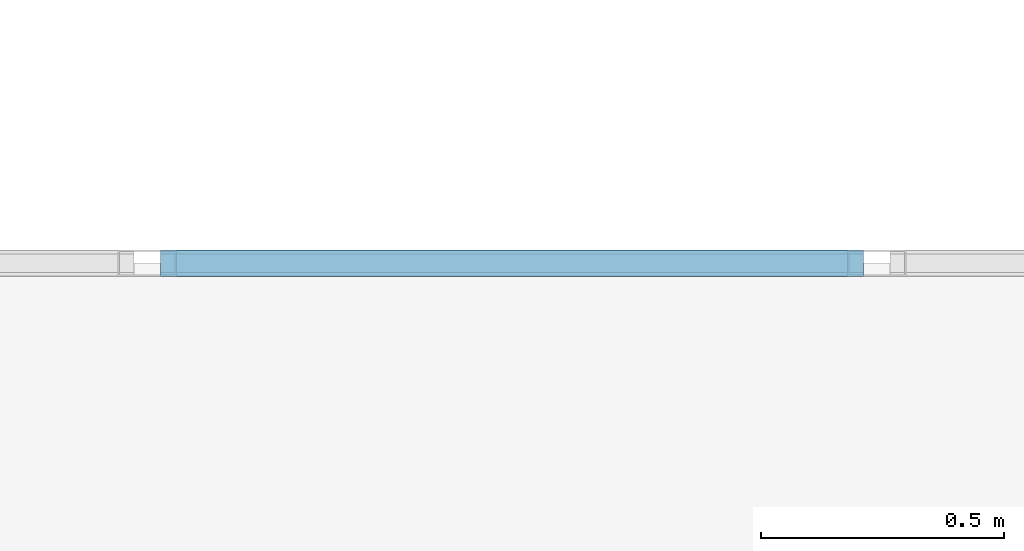
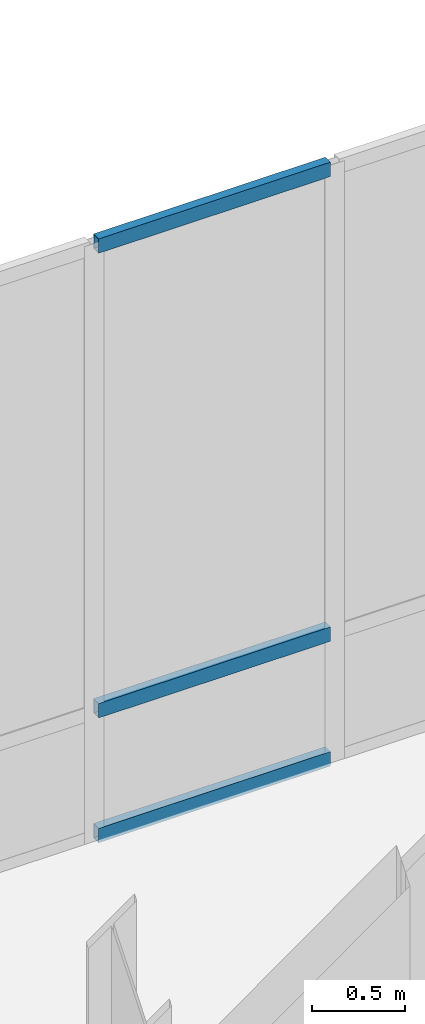
# One storey, part 21 of 130: 3 members, 1 element without a shape of its own.
"""IFC4 building model written with IfcOpenShell, lengths in metres."""

from ifc_helpers import new_model, si_unit, direction, frame, origin, origin_2d, place, context, subcontext, project, spatial, hollow_rectangle, extrude, material, material_profile, profile_set, type_object, element, aggregate, save


model = new_model("IFC4")

# Units and contexts
model_context = context("Model", 3, precision=1e-05, world=origin(), true_north=direction((0.0, 1.0)))
body_context = subcontext(model_context, "Body", "Model", "MODEL_VIEW")
ifc_project = project(units=[si_unit("LENGTHUNIT", "METRE"), si_unit("AREAUNIT", "SQUARE_METRE"), si_unit("VOLUMEUNIT", "CUBIC_METRE"), si_unit("PLANEANGLEUNIT", "RADIAN"), si_unit("MASSUNIT", "GRAM", prefix="KILO")], contexts=[model_context])

# Site, building, storey
site_placement = place(None, origin())
site = spatial("IfcSite", under=ifc_project, at=site_placement, CompositionType="ELEMENT")
building_placement = place(site_placement, origin())
building = spatial("IfcBuilding", under=site, at=building_placement, Name="Lykobir Media Centre", CompositionType="ELEMENT")
storey_placement = place(building_placement, frame((0.0, 0.0, 19.199951171875)))
storey = spatial("IfcBuildingStorey", under=building, at=storey_placement, Name="L04", CompositionType="ELEMENT", Elevation=19.199951171875)

# Curtain wall, members
ifc_material = material(Name="Anodized Aluminium AW-6060", Category="aluminium")
curtain_wall_type = type_object("IfcCurtainWallType", Name="CW-COURT-B", PredefinedType="NOTDEFINED", material=ifc_material)
curtain_wall_placement = place(storey_placement, origin())
curtain_wall = element("IfcCurtainWall", 1, at=curtain_wall_placement, inside=storey, type_object=curtain_wall_type, Name="Curtain wall CW2-L04-0151", PredefinedType="NOTDEFINED")
ifc_material_profile = material_profile(ifc_material, hollow_rectangle(XDim=0.054931640625, YDim=0.094970703125, WallThickness=0.0029296875, at=origin_2d()), Name="ALU TRANSOM 55x95")
ifc_profile_set = profile_set([ifc_material_profile], Name="Anodized Aluminium AW-6060")
member_type = type_object("IfcMemberType", Name="CWT-095", PredefinedType="USERDEFINED", material=ifc_profile_set)
member_1_placement = place(storey_placement, frame((46.527587890625, 21.0, 0.027587890625), z_axis=(1.0, 0.0, 0.0), x_axis=(0.0, 1.0, 0.0)))
member_1 = element("IfcMember", 2, at=member_1_placement, type_object=member_type, Name="CW2-L04-0151 transom 2.1", ObjectType="TRANSOM", PredefinedType="USERDEFINED", context=body_context, shape_type="SweptSolid", body=[
    extrude(hollow_rectangle(XDim=0.054931640625, YDim=0.094970703125, WallThickness=0.0029296875, at=origin_2d()), origin(), (0.0, 0.0, 1.0), 1.44482421875),
])
member_2_placement = place(storey_placement, frame((46.527587890625, 21.0, 0.85009765625), z_axis=(1.0, 0.0, 0.0), x_axis=(0.0, 1.0, 0.0)))
member_2 = element("IfcMember", 3, at=member_2_placement, type_object=member_type, Name="CW2-L04-0151 transom 2.2", ObjectType="TRANSOM", PredefinedType="USERDEFINED", context=body_context, shape_type="SweptSolid", body=[
    extrude(hollow_rectangle(XDim=0.054931640625, YDim=0.094970703125, WallThickness=0.0029296875, at=origin_2d()), origin(), (0.0, 0.0, 1.0), 1.44482421875),
])
member_3_placement = place(storey_placement, frame((46.527587890625, 21.0, 3.91259765625), z_axis=(1.0, 0.0, 0.0), x_axis=(0.0, 1.0, 0.0)))
member_3 = element("IfcMember", 4, at=member_3_placement, type_object=member_type, Name="CW2-L04-0151 transom 2.3", ObjectType="TRANSOM", PredefinedType="USERDEFINED", context=body_context, shape_type="SweptSolid", body=[
    extrude(hollow_rectangle(XDim=0.054931640625, YDim=0.094970703125, WallThickness=0.0029296875, at=origin_2d()), origin(), (0.0, 0.0, 1.0), 1.44482421875),
])
aggregate(curtain_wall, [member_1, member_2, member_3])

save(model, "model.ifc")
